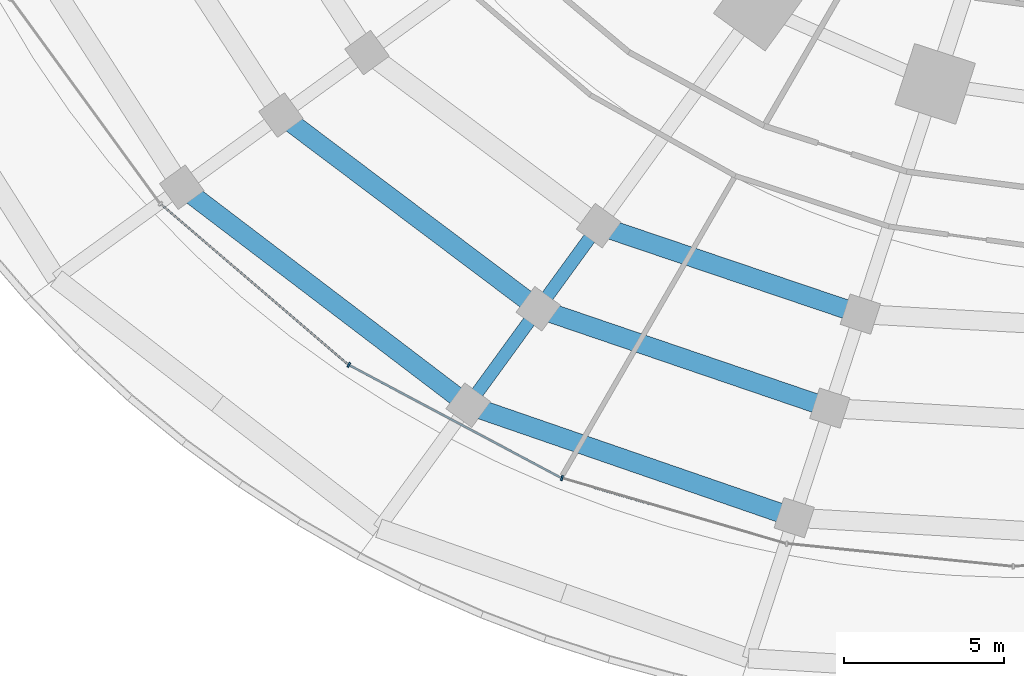
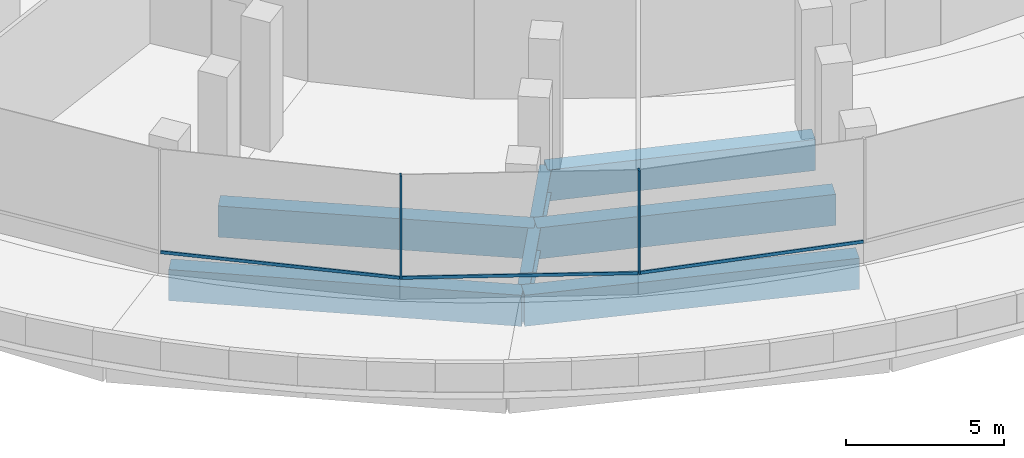
# One storey, part 2 of 31: 7 beams, 5 members, 2 elements without a shape of their own.
"""IFC4 building model written with IfcOpenShell, lengths in metres."""

from ifc_helpers import new_model, si_unit, direction, frame, origin, origin_2d, place, context, subcontext, project, spatial, rectangle, i_section, extrude, material, material_profile, profile_set, type_object, element, aggregate, save


model = new_model("IFC4")

# Units and contexts
model_context = context("Model", 3, precision=1e-05, world=origin(), true_north=direction((0.0, 1.0)))
body_context = subcontext(model_context, "Body", "Model", "MODEL_VIEW")
ifc_project = project(units=[si_unit("LENGTHUNIT", "METRE"), si_unit("AREAUNIT", "SQUARE_METRE"), si_unit("VOLUMEUNIT", "CUBIC_METRE"), si_unit("PLANEANGLEUNIT", "RADIAN"), si_unit("MASSUNIT", "GRAM", prefix="KILO")], contexts=[model_context])

# Site, building, storey
site_placement = place(None, origin())
site = spatial("IfcSite", under=ifc_project, at=site_placement, CompositionType="ELEMENT")
building_placement = place(site_placement, origin())
building = spatial("IfcBuilding", under=site, at=building_placement, Name="Marramba Exchange Tower", CompositionType="ELEMENT")
storey_placement = place(building_placement, frame((0.0, 0.0, 5.60009765625)))
storey = spatial("IfcBuildingStorey", under=building, at=storey_placement, Name="L01", CompositionType="ELEMENT", Elevation=5.60009765625)

# Beams
ifc_material_1 = material(Name="Concrete N50", Category="concrete")
ifc_material_profile_1 = material_profile(ifc_material_1, rectangle(XDim=0.60009765625, YDim=1.199951171875, at=origin_2d()), Name="RC 600x1200")
ifc_profile_set_1 = profile_set([ifc_material_profile_1], Name="Concrete N50")
beam_type_1 = type_object("IfcBeamType", Name="Edge beam RC 600x1200 N50", PredefinedType="SPANDREL", material=ifc_profile_set_1)
beam_1_placement = place(storey_placement, frame((-29.430908203125, -21.3828125, -0.800048828125), z_axis=(0.795801398517, -0.605557705027, 0.0), x_axis=(0.605557705027, 0.795801398517, 0.0)))
element("IfcBeam", 1, at=beam_1_placement, inside=storey, type_object=beam_type_1, Name="Edge beam L01 P1C13", PredefinedType="SPANDREL", context=body_context, shape_type="SweptSolid", body=[
    extrude(rectangle(XDim=0.60009765625, YDim=1.199951171875, at=origin_2d()), origin(), (0.0, 0.0, 1.0), 11.244384765625),
])
beam_2_placement = place(storey_placement, frame((-20.482666015625, -28.19189453125, -0.800048828125), z_axis=(0.945263321131, -0.326308525364, 0.0), x_axis=(0.326308525364, 0.945263321131, 0.0)))
element("IfcBeam", 2, at=beam_2_placement, inside=storey, type_object=beam_type_1, Name="Edge beam L01 P1C14", PredefinedType="SPANDREL", context=body_context, shape_type="SweptSolid", body=[
    extrude(rectangle(XDim=0.60009765625, YDim=1.199951171875, at=origin_2d()), origin(), (0.0, 0.0, 1.0), 10.770263671875),
])
beam_3_placement = place(storey_placement, frame((-26.33203125, -19.13134765625, -0.800048828125), z_axis=(0.799014535073, -0.601311710132, 0.0), x_axis=(0.601311710132, 0.799014535073, 0.0)))
element("IfcBeam", 3, at=beam_3_placement, inside=storey, type_object=beam_type_1, Name="Edge beam L01 P2C13", PredefinedType="SPANDREL", context=body_context, shape_type="SweptSolid", body=[
    extrude(rectangle(XDim=0.60009765625, YDim=1.199951171875, at=origin_2d()), origin(), (0.0, 0.0, 1.0), 10.059326171875),
])
beam_4_placement = place(storey_placement, frame((-18.29443359375, -25.18017578125, -0.800048828125), z_axis=(0.946485697002, -0.322745759649, 0.0), x_axis=(0.322745759649, 0.946485697002, 0.0)))
element("IfcBeam", 4, at=beam_4_placement, inside=storey, type_object=beam_type_1, Name="Edge beam L01 P2C14", PredefinedType="SPANDREL", context=body_context, shape_type="SweptSolid", body=[
    extrude(rectangle(XDim=0.60009765625, YDim=1.199951171875, at=origin_2d()), origin(), (0.0, 0.0, 1.0), 9.618896484375),
])
beam_5_placement = place(storey_placement, frame((-16.40869140625, -22.58447265625, -0.800048828125), z_axis=(0.947330534482, -0.320257487715, 0.0), x_axis=(0.320257487715, 0.947330534482, 0.0)))
element("IfcBeam", 5, at=beam_5_placement, inside=storey, type_object=beam_type_1, Name="Edge beam L01 P3C14", PredefinedType="SPANDREL", context=body_context, shape_type="SweptSolid", body=[
    extrude(rectangle(XDim=0.60009765625, YDim=1.199951171875, at=origin_2d()), origin(), (0.0, 0.0, 1.0), 8.627197265625),
])

# Curtain wall, member
ifc_material_2 = material(Name="Aluminium framing, bronze anodised", Category="aluminium")
curtain_wall_type = type_object("IfcCurtainWallType", Name="Podium ribbon curtain wall", PredefinedType="USERDEFINED", material=ifc_material_2)
curtain_wall_1_placement = place(storey_placement, origin())
curtain_wall_1 = element("IfcCurtainWall", 6, at=curtain_wall_1_placement, inside=storey, type_object=curtain_wall_type, Name="Curtain wall CW2 L01 F16-F20", ObjectType="RIBBON CURTAIN WALL", PredefinedType="USERDEFINED")
ifc_material_3 = material(Name="Aluminium mullion, bronze anodised", Category="aluminium")
ifc_material_profile_2 = material_profile(ifc_material_3, rectangle(XDim=0.159912109375, YDim=0.06005859375, at=origin_2d()), Name="CW2 mullion 60x160")
ifc_profile_set_2 = profile_set([ifc_material_profile_2], Name="Aluminium mullion, bronze anodised")
member_type_1 = type_object("IfcMemberType", Name="Podium ribbon curtain wall mullion", PredefinedType="MULLION", material=ifc_profile_set_2)
member_1_placement = place(storey_placement, frame((-24.21240234375, -26.93408203125, 0.7998046875), z_axis=(0.0, 0.0, 1.0), x_axis=(0.469653845466, 0.8828506473, 0.0)))
member_1 = element("IfcMember", 7, at=member_1_placement, type_object=member_type_1, Name="CW2 mullion 1", PredefinedType="MULLION", context=body_context, shape_type="SweptSolid", body=[
    extrude(rectangle(XDim=0.159912109375, YDim=0.06005859375, at=origin_2d()), origin(), (0.0, 0.0, 1.0), 4.0),
])

curtain_wall_2_placement = place(storey_placement, origin())
curtain_wall_2 = element("IfcCurtainWall", 8, at=curtain_wall_2_placement, inside=storey, type_object=curtain_wall_type, Name="Curtain wall CW2 L01 F21-F25", ObjectType="RIBBON CURTAIN WALL", PredefinedType="USERDEFINED")
member_2_placement = place(storey_placement, frame((-17.556884765625, -30.4677734375, 0.7998046875), z_axis=(0.0, 0.0, 1.0), x_axis=(0.280940154671, 0.959725288556, 0.0)))
member_2 = element("IfcMember", 9, at=member_2_placement, type_object=member_type_1, Name="CW2 mullion 1", PredefinedType="MULLION", context=body_context, shape_type="SweptSolid", body=[
    extrude(rectangle(XDim=0.159912109375, YDim=0.06005859375, at=origin_2d()), origin(), (0.0, 0.0, 1.0), 4.0),
])

# Member
ifc_material_4 = material(Name="Aluminium transom, bronze anodised", Category="aluminium")
ifc_material_profile_3 = material_profile(ifc_material_4, rectangle(XDim=0.06005859375, YDim=0.1201171875, at=origin_2d()), Name="CW2 transom 60x120")
ifc_profile_set_3 = profile_set([ifc_material_profile_3], Name="Aluminium transom, bronze anodised")
member_type_2 = type_object("IfcMemberType", Name="Podium ribbon curtain wall transom", PredefinedType="USERDEFINED", material=ifc_profile_set_3)
member_3_placement = place(storey_placement, frame((-30.072998046875, -21.92138671875, 0.829833984375), z_axis=(0.759370992022, -0.650657895115, 0.0), x_axis=(0.650657895115, 0.759370992022, 0.0)))
member_3 = element("IfcMember", 10, at=member_3_placement, type_object=member_type_2, Name="CW2 sill transom", ObjectType="TRANSOM", PredefinedType="USERDEFINED", context=body_context, shape_type="SweptSolid", body=[
    extrude(rectangle(XDim=0.06005859375, YDim=0.1201171875, at=origin_2d()), origin(), (0.0, 0.0, 1.0), 7.6826171875),
])

member_4_placement = place(storey_placement, frame((-24.18603515625, -26.9482421875, 0.829833984375), z_axis=(0.882849630502, -0.469655756829, 0.0), x_axis=(0.469655756829, 0.882849630502, 0.0)))
member_4 = element("IfcMember", 11, at=member_4_placement, type_object=member_type_2, Name="CW2 sill transom", ObjectType="TRANSOM", PredefinedType="USERDEFINED", context=body_context, shape_type="SweptSolid", body=[
    extrude(rectangle(XDim=0.06005859375, YDim=0.1201171875, at=origin_2d()), origin(), (0.0, 0.0, 1.0), 7.47607421875),
])

aggregate(curtain_wall_1, [member_3, member_1, member_4])

member_5_placement = place(storey_placement, frame((-17.528076171875, -30.476318359375, 0.829833984375), z_axis=(0.959727450086, -0.28093277052, 0.0), x_axis=(0.28093277052, 0.959727450086, 0.0)))
member_5 = element("IfcMember", 12, at=member_5_placement, type_object=member_type_2, Name="CW2 sill transom", ObjectType="TRANSOM", PredefinedType="USERDEFINED", context=body_context, shape_type="SweptSolid", body=[
    extrude(rectangle(XDim=0.06005859375, YDim=0.1201171875, at=origin_2d()), origin(), (0.0, 0.0, 1.0), 7.255615234375),
])

aggregate(curtain_wall_2, [member_2, member_5])

# Beams
ifc_material_5 = material(Name="Steel AS/NZS 3679.2 grade 300", Category="steel")
ifc_material_profile_4 = material_profile(ifc_material_5, i_section(OverallWidth=0.39990234375, OverallDepth=0.89990234375, WebThickness=0.01611328125, FlangeThickness=0.031982421875, at=origin_2d()), Name="900WB282")
ifc_profile_set_4 = profile_set([ifc_material_profile_4], Name="Steel AS/NZS 3679.2 grade 300")
beam_type_2 = type_object("IfcBeamType", Name="Radial girder 900WB282", PredefinedType="BEAM", material=ifc_profile_set_4)
beam_6_placement = place(storey_placement, frame((-20.482666015625, -28.19189453125, -0.650146484375), z_axis=(0.587801192771, 0.809005412699, 0.0), x_axis=(-0.809005412699, 0.587801192771, 0.0)))
element("IfcBeam", 13, at=beam_6_placement, inside=storey, type_object=beam_type_2, Name="Radial girder L01 P1C14", PredefinedType="BEAM", context=body_context, shape_type="SweptSolid", body=[
    extrude(i_section(OverallWidth=0.39990234375, OverallDepth=0.89990234375, WebThickness=0.01611328125, FlangeThickness=0.031982421875, at=origin_2d()), origin(), (0.0, 0.0, 1.0), 3.72265625),
])
beam_7_placement = place(storey_placement, frame((-18.29443359375, -25.18017578125, -0.650146484375), z_axis=(0.587755361263, 0.809038710635, 0.0), x_axis=(-0.809038710635, 0.587755361263, 0.0)))
element("IfcBeam", 14, at=beam_7_placement, inside=storey, type_object=beam_type_2, Name="Radial girder L01 P2C14", PredefinedType="BEAM", context=body_context, shape_type="SweptSolid", body=[
    extrude(i_section(OverallWidth=0.39990234375, OverallDepth=0.89990234375, WebThickness=0.01611328125, FlangeThickness=0.031982421875, at=origin_2d()), origin(), (0.0, 0.0, 1.0), 3.20849609375),
])

save(model, "model.ifc")
